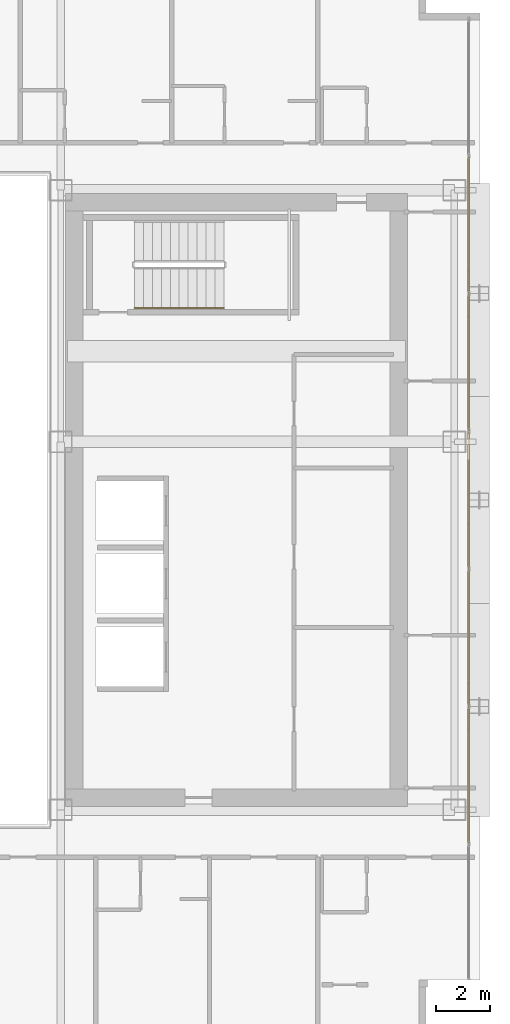
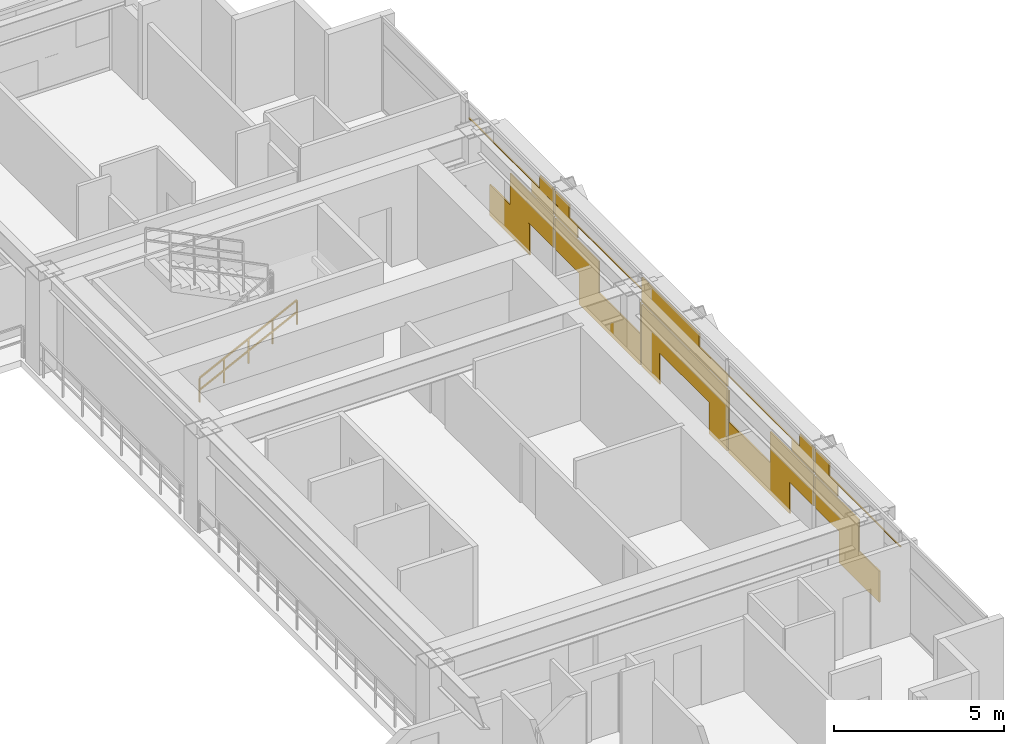
# One storey, part 34 of 35: 1 covering, 1 railing.
"""IFC4 building model written with IfcOpenShell, lengths in metres."""

from ifc_helpers import new_model, si_unit, direction, frame, origin, origin_2d, place, context, subcontext, project, spatial, rectangle, extrude, material, layer, layer_set, type_object, element, save


model = new_model("IFC4")

# Units and contexts
model_context = context("Model", 3, precision=1e-05, world=origin(), true_north=direction((0.0, 1.0)))
body_context = subcontext(model_context, "Body", "Model", "MODEL_VIEW")
ifc_project = project(units=[si_unit("LENGTHUNIT", "METRE"), si_unit("AREAUNIT", "SQUARE_METRE"), si_unit("VOLUMEUNIT", "CUBIC_METRE"), si_unit("PLANEANGLEUNIT", "RADIAN"), si_unit("MASSUNIT", "GRAM", prefix="KILO")], contexts=[model_context])

# Site, building, storey
site_placement = place(None, origin())
site = spatial("IfcSite", under=ifc_project, at=site_placement, CompositionType="ELEMENT")
building_placement = place(site_placement, origin())
building = spatial("IfcBuilding", under=site, at=building_placement, Name="Ocotamira Hotel", CompositionType="ELEMENT")
storey_placement = place(building_placement, frame((0.0, 0.0, 118.800048828125)))
storey = spatial("IfcBuildingStorey", under=building, at=storey_placement, Name="L29", CompositionType="ELEMENT", Elevation=118.800048828125)

# Covering
ifc_material_1 = material(Name="Insulated pale-metal aluminium spandrel panel", Category="aluminium")
ifc_layer = layer(ifc_material_1, 0.044921875)
ifc_layer_set = layer_set([ifc_layer], Name="Insulated pale-metal aluminium spandrel panel")
covering_type = type_object("IfcCoveringType", Name="COV-INFILL-45", PredefinedType="CLADDING", material=ifc_layer_set)
covering_placement = place(storey_placement, origin())
element("IfcCovering", 1, at=covering_placement, inside=storey, type_object=covering_type, Name="L29 Curtain Wall Infill CW-3 CW-L29-E", PredefinedType="CLADDING", context=body_context, shape_type="SweptSolid", body=[
    extrude(rectangle(XDim=2.35107421875, YDim=0.044921875, at=origin_2d()), frame((55.580078125, 15.741943359375, 0.0751953125), z_axis=(0.0, 0.0, 1.0), x_axis=(0.0, 1.0, 0.0)), (0.0, 0.0, 1.0), 1.117919921875),
    extrude(rectangle(XDim=2.578369140625, YDim=0.044921875, at=origin_2d()), frame((55.580078125, 17.041748046875, 1.194091796875), z_axis=(0.0, 0.0, 1.0), x_axis=(0.0, 1.0, 0.0)), (0.0, 0.0, 1.0), 1.11767578125),
    extrude(rectangle(XDim=5.004638671875, YDim=0.044921875, at=origin_2d()), frame((55.580078125, 15.82861328125, 2.80224609375), z_axis=(0.0, 0.0, 1.0), x_axis=(0.0, 1.0, 0.0)), (0.0, 0.0, 1.0), 0.033203125),
    extrude(rectangle(XDim=1.312744140625, YDim=0.044921875, at=origin_2d()), frame((55.580078125, 17.674560546875, 2.38818359375), z_axis=(0.0, 0.0, 1.0), x_axis=(0.0, 1.0, 0.0)), (0.0, 0.0, 1.0), 0.413330078125),
    extrude(rectangle(XDim=0.837158203125, YDim=0.044921875, at=origin_2d()), frame((55.580078125, 17.912353515625, 2.836669921875), z_axis=(0.0, 0.0, 1.0), x_axis=(0.0, 1.0, 0.0)), (0.0, 0.0, 1.0), 0.44775390625),
    extrude(rectangle(XDim=2.568603515625, YDim=0.044921875, at=origin_2d()), frame((55.580078125, 19.6962890625, 1.194091796875), z_axis=(0.0, 0.0, 1.0), x_axis=(0.0, 1.0, 0.0)), (0.0, 0.0, 1.0), 1.11767578125),
    extrude(rectangle(XDim=3.600830078125, YDim=0.044921875, at=origin_2d()), frame((55.580078125, 21.6162109375, 0.0751953125), z_axis=(0.0, 0.0, 1.0), x_axis=(0.0, 1.0, 0.0)), (0.0, 0.0, 1.0), 1.117919921875),
    extrude(rectangle(XDim=0.03076171875, YDim=0.044921875, at=origin_2d()), frame((55.580078125, 23.4013671875, 1.194091796875), z_axis=(0.0, 0.0, 1.0), x_axis=(0.0, 1.0, 0.0)), (0.0, 0.0, 1.0), 1.11767578125),
    extrude(rectangle(XDim=1.302978515625, YDim=0.044921875, at=origin_2d()), frame((55.580078125, 19.0634765625, 2.38818359375), z_axis=(0.0, 0.0, 1.0), x_axis=(0.0, 1.0, 0.0)), (0.0, 0.0, 1.0), 0.413330078125),
    extrude(rectangle(XDim=5.004638671875, YDim=0.044921875, at=origin_2d()), frame((55.580078125, 20.914306640625, 2.80224609375), z_axis=(0.0, 0.0, 1.0), x_axis=(0.0, 1.0, 0.0)), (0.0, 0.0, 1.0), 0.033203125),
    extrude(rectangle(XDim=0.827392578125, YDim=0.044921875, at=origin_2d()), frame((55.580078125, 18.82568359375, 2.836669921875), z_axis=(0.0, 0.0, 1.0), x_axis=(0.0, 1.0, 0.0)), (0.0, 0.0, 1.0), 0.44775390625),
    extrude(rectangle(XDim=1.05322265625, YDim=0.044921875, at=origin_2d()), frame((55.580078125, 24.0244140625, 0.0751953125), z_axis=(0.0, 0.0, 1.0), x_axis=(0.0, 1.0, 0.0)), (0.0, 0.0, 1.0), 1.117919921875),
    extrude(rectangle(XDim=5.004638671875, YDim=0.044921875, at=origin_2d()), frame((55.580078125, 26.0, 1.194091796875), z_axis=(0.0, 0.0, 1.0), x_axis=(0.0, 1.0, 0.0)), (0.0, 0.0, 1.0), 1.11767578125),
    extrude(rectangle(XDim=1.05322265625, YDim=0.044921875, at=origin_2d()), frame((55.580078125, 27.9755859375, 0.0751953125), z_axis=(0.0, 0.0, 1.0), x_axis=(0.0, 1.0, 0.0)), (0.0, 0.0, 1.0), 1.117919921875),
    extrude(rectangle(XDim=5.004638671875, YDim=0.044921875, at=origin_2d()), frame((55.580078125, 26.0, 2.387939453125), z_axis=(0.0, 0.0, 1.0), x_axis=(0.0, 1.0, 0.0)), (0.0, 0.0, 1.0), 0.44775390625),
    extrude(rectangle(XDim=3.375, YDim=0.044921875, at=origin_2d()), frame((55.580078125, 26.814697265625, 2.836669921875), z_axis=(0.0, 0.0, 1.0), x_axis=(0.0, 1.0, 0.0)), (0.0, 0.0, 1.0), 0.44775390625),
    extrude(rectangle(XDim=3.600830078125, YDim=0.044921875, at=origin_2d()), frame((55.580078125, 30.3837890625, 0.0751953125), z_axis=(0.0, 0.0, 1.0), x_axis=(0.0, 1.0, 0.0)), (0.0, 0.0, 1.0), 1.117919921875),
    extrude(rectangle(XDim=0.03076171875, YDim=0.044921875, at=origin_2d()), frame((55.580078125, 28.5986328125, 1.194091796875), z_axis=(0.0, 0.0, 1.0), x_axis=(0.0, 1.0, 0.0)), (0.0, 0.0, 1.0), 1.11767578125),
    extrude(rectangle(XDim=2.568603515625, YDim=0.044921875, at=origin_2d()), frame((55.580078125, 32.3037109375, 1.194091796875), z_axis=(0.0, 0.0, 1.0), x_axis=(0.0, 1.0, 0.0)), (0.0, 0.0, 1.0), 1.11767578125),
    extrude(rectangle(XDim=5.004638671875, YDim=0.044921875, at=origin_2d()), frame((55.580078125, 31.085693359375, 2.80224609375), z_axis=(0.0, 0.0, 1.0), x_axis=(0.0, 1.0, 0.0)), (0.0, 0.0, 1.0), 0.033203125),
    extrude(rectangle(XDim=1.302978515625, YDim=0.044921875, at=origin_2d()), frame((55.580078125, 32.9365234375, 2.38818359375), z_axis=(0.0, 0.0, 1.0), x_axis=(0.0, 1.0, 0.0)), (0.0, 0.0, 1.0), 0.413330078125),
    extrude(rectangle(XDim=0.827392578125, YDim=0.044921875, at=origin_2d()), frame((55.580078125, 33.17431640625, 2.836669921875), z_axis=(0.0, 0.0, 1.0), x_axis=(0.0, 1.0, 0.0)), (0.0, 0.0, 1.0), 0.44775390625),
    extrude(rectangle(XDim=2.578369140625, YDim=0.044921875, at=origin_2d()), frame((55.580078125, 34.958251953125, 1.194091796875), z_axis=(0.0, 0.0, 1.0), x_axis=(0.0, 1.0, 0.0)), (0.0, 0.0, 1.0), 1.11767578125),
    extrude(rectangle(XDim=2.35107421875, YDim=0.044921875, at=origin_2d()), frame((55.580078125, 36.258056640625, 0.0751953125), z_axis=(0.0, 0.0, 1.0), x_axis=(0.0, 1.0, 0.0)), (0.0, 0.0, 1.0), 1.117919921875),
    extrude(rectangle(XDim=1.312744140625, YDim=0.044921875, at=origin_2d()), frame((55.580078125, 34.325439453125, 2.38818359375), z_axis=(0.0, 0.0, 1.0), x_axis=(0.0, 1.0, 0.0)), (0.0, 0.0, 1.0), 0.413330078125),
    extrude(rectangle(XDim=5.004638671875, YDim=0.044921875, at=origin_2d()), frame((55.580078125, 36.17138671875, 2.80224609375), z_axis=(0.0, 0.0, 1.0), x_axis=(0.0, 1.0, 0.0)), (0.0, 0.0, 1.0), 0.033203125),
    extrude(rectangle(XDim=0.837158203125, YDim=0.044921875, at=origin_2d()), frame((55.580078125, 34.087646484375, 2.836669921875), z_axis=(0.0, 0.0, 1.0), x_axis=(0.0, 1.0, 0.0)), (0.0, 0.0, 1.0), 0.44775390625),
])

# Railing
ifc_material_2 = material(Name="Brushed stainless steel handrail", Category="steel")
railing_type = type_object("IfcRailingType", Name="RL-HAND-900", PredefinedType="HANDRAIL", material=ifc_material_2)
railing_placement = place(storey_placement, frame((43.22998046875, 33.10009765625, 0.3271484375)))
element("IfcRailing", 2, at=railing_placement, inside=storey, type_object=railing_type, Name="L29 ST-4 stair handrail 1", PredefinedType="HANDRAIL", context=body_context, shape_type="SweptSolid", body=[
    extrude(rectangle(XDim=0.048095703125, YDim=0.048095703125, at=origin_2d()), frame((0.0, 0.0, 0.8759765625), z_axis=(0.895893744519, 0.0, 0.4442683857), x_axis=(0.0, 1.0, 0.0)), (0.0, 0.0, 1.0), 3.68359375),
    extrude(rectangle(XDim=0.048095703125, YDim=0.048095703125, at=origin_2d()), frame((0.0, 0.0, 0.449951171875), z_axis=(0.895893744519, 0.0, 0.4442683857), x_axis=(0.0, 1.0, 0.0)), (0.0, 0.0, 1.0), 3.68359375),
    extrude(rectangle(XDim=0.0419921875, YDim=0.0419921875, at=origin_2d()), origin(), (0.0, 0.0, 1.0), 0.851806640625),
    extrude(rectangle(XDim=0.0419921875, YDim=0.0419921875, at=origin_2d()), frame((0.824951171875, 0.0, 0.4091796875)), (0.0, 0.0, 1.0), 0.851806640625),
    extrude(rectangle(XDim=0.0419921875, YDim=0.0419921875, at=origin_2d()), frame((1.64990234375, 0.0, 0.818359375)), (0.0, 0.0, 1.0), 0.851806640625),
    extrude(rectangle(XDim=0.0419921875, YDim=0.0419921875, at=origin_2d()), frame((2.47509765625, 0.0, 1.227294921875)), (0.0, 0.0, 1.0), 0.851806640625),
    extrude(rectangle(XDim=0.0419921875, YDim=0.0419921875, at=origin_2d()), frame((3.300048828125, 0.0, 1.636474609375)), (0.0, 0.0, 1.0), 0.851806640625),
])

save(model, "model.ifc")
